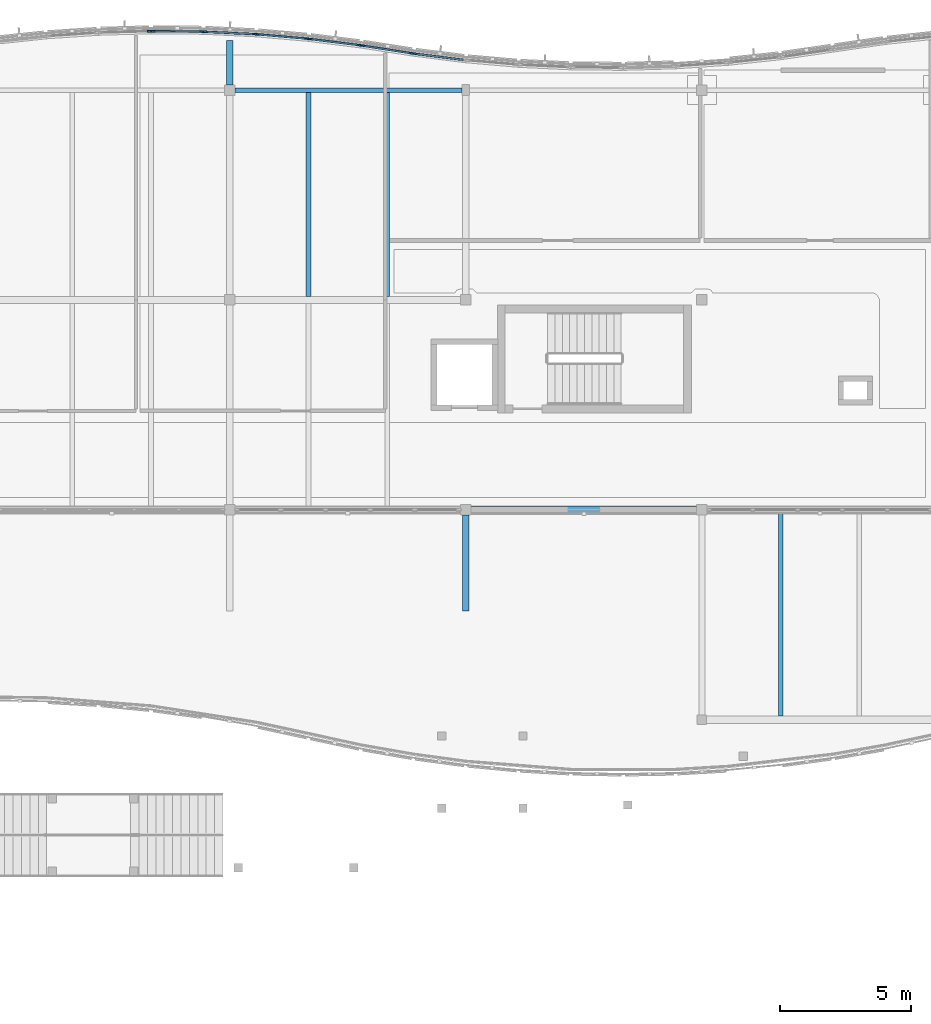
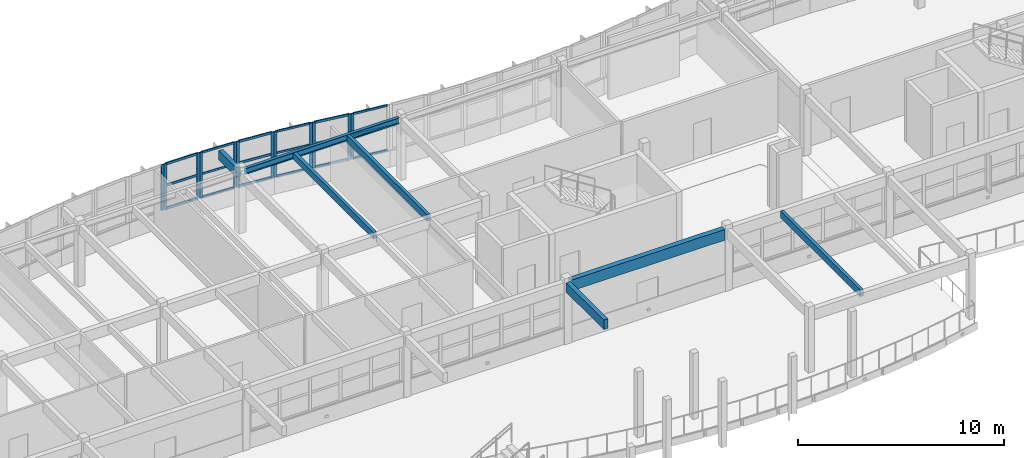
# One storey, part 19 of 63: 30 members, 7 beams, 7 elements without a shape of their own.
"""IFC4 building model written with IfcOpenShell, lengths in metres."""

from ifc_helpers import new_model, si_unit, direction, frame, origin, origin_2d, place, context, subcontext, project, spatial, rectangle, i_section, extrude, material, layer, layer_set, material_profile, profile_set, type_object, element, aggregate, save


model = new_model("IFC4")

# Units and contexts
model_context = context("Model", 3, precision=1e-05, world=origin(), true_north=direction((0.0, 1.0)))
body_context = subcontext(model_context, "Body", "Model", "MODEL_VIEW")
ifc_project = project(units=[si_unit("LENGTHUNIT", "METRE"), si_unit("AREAUNIT", "SQUARE_METRE"), si_unit("VOLUMEUNIT", "CUBIC_METRE"), si_unit("PLANEANGLEUNIT", "RADIAN"), si_unit("MASSUNIT", "GRAM", prefix="KILO")], contexts=[model_context])

# Site, building, storey
site_placement = place(None, origin())
site = spatial("IfcSite", under=ifc_project, at=site_placement, CompositionType="ELEMENT")
building_placement = place(site_placement, origin())
building = spatial("IfcBuilding", under=site, at=building_placement, Name="Tonlespit Floodbar School", CompositionType="ELEMENT")
storey_placement = place(building_placement, frame((0.0, 0.0, 8.39990234375)))
storey = spatial("IfcBuildingStorey", under=building, at=storey_placement, Name="L02", CompositionType="ELEMENT", Elevation=8.39990234375)

# Beams
ifc_material_1 = material(Name="Glulam GL28h", Category="wood")
ifc_material_profile_1 = material_profile(ifc_material_1, rectangle(XDim=0.239990234375, YDim=0.56005859375, at=origin_2d()), Name="GL 240x560")
ifc_profile_set_1 = profile_set([ifc_material_profile_1], Name="Glulam GL28h")
beam_type_1 = type_object("IfcBeamType", Name="Beam_GL_240x560", PredefinedType="BEAM", material=ifc_profile_set_1)
beam_1_placement = place(storey_placement, frame((89.0, 120.199951171875, 3.3701171875), z_axis=(0.0, 1.0, 0.0), x_axis=(-1.0, 0.0, 0.0)))
element("IfcBeam", 1, at=beam_1_placement, inside=storey, type_object=beam_type_1, Name="L02 north street wave cantilever bracket", PredefinedType="BEAM", context=body_context, shape_type="SweptSolid", body=[
    extrude(rectangle(XDim=0.239990234375, YDim=0.56005859375, at=origin_2d()), origin(), (0.0, 0.0, 1.0), 1.689453125),
])
beam_2_placement = place(storey_placement, frame((98.0, 103.800048828125, 3.3681640625), z_axis=(0.0, -1.0, 0.0), x_axis=(1.0, 0.0, 0.0)))
element("IfcBeam", 2, at=beam_2_placement, inside=storey, type_object=beam_type_1, Name="L02 V1 curved gallery cantilever rib", PredefinedType="BEAM", context=body_context, shape_type="SweptSolid", body=[
    extrude(rectangle(XDim=0.239990234375, YDim=0.56005859375, at=origin_2d()), origin(), (0.0, 0.0, 1.0), 3.650146484375),
])
ifc_material_profile_2 = material_profile(ifc_material_1, rectangle(XDim=0.280029296875, YDim=0.639892578125, at=origin_2d()), Name="GL 280x640")
ifc_profile_set_2 = profile_set([ifc_material_profile_2], Name="Glulam GL28h")
beam_type_2 = type_object("IfcBeamType", Name="Beam_GL_280x640", PredefinedType="BEAM", material=ifc_profile_set_2)
beam_3_placement = place(storey_placement, frame((98.199951171875, 104.0, 3.328125), z_axis=(1.0, 0.0, 0.0), x_axis=(0.0, 1.0, 0.0)))
element("IfcBeam", 3, at=beam_3_placement, inside=storey, type_object=beam_type_2, Name="L02 girder 0965", PredefinedType="BEAM", context=body_context, shape_type="SweptSolid", body=[
    extrude(rectangle(XDim=0.280029296875, YDim=0.639892578125, at=origin_2d()), origin(), (0.0, 0.0, 1.0), 8.60009765625),
])

# Curtain wall, member
ifc_material_2 = material(Name="Anodised Aluminium", Category="aluminium")
ifc_layer_1 = layer(ifc_material_2, 0.159912109375)
ifc_layer_set_1 = layer_set([ifc_layer_1], Name="Anodised Aluminium")
curtain_wall_type_1 = type_object("IfcCurtainWallType", Name="CurtainWall_1900x2700", PredefinedType="NOTDEFINED", material=ifc_layer_set_1)
curtain_wall_1_placement = place(storey_placement, origin())
curtain_wall_1 = element("IfcCurtainWall", 4, at=curtain_wall_1_placement, inside=storey, type_object=curtain_wall_type_1, Name="L02 unitised curtain wall 0102", PredefinedType="NOTDEFINED")
ifc_material_profile_3 = material_profile(ifc_material_2, rectangle(XDim=0.06494140625, YDim=0.14990234375, at=origin_2d()), Name="ALU M65x150")
ifc_profile_set_3 = profile_set([ifc_material_profile_3], Name="Anodised Aluminium")
member_type_1 = type_object("IfcMemberType", Name="CW_Mullion_65x150", PredefinedType="MULLION", material=ifc_profile_set_3)
member_1_placement = place(storey_placement, frame((85.927490234375, 122.244873046875, 0.9501953125), z_axis=(0.0, 0.0, 1.0), x_axis=(-0.028790144226, 0.999585477883, 0.0)))
member_1 = element("IfcMember", 5, at=member_1_placement, type_object=member_type_1, Name="CW-05 mullion 2", PredefinedType="MULLION", context=body_context, shape_type="SweptSolid", body=[
    extrude(rectangle(XDim=0.06494140625, YDim=0.14990234375, at=origin_2d()), origin(), (0.0, 0.0, 1.0), 2.699951171875),
])
aggregate(curtain_wall_1, [member_1])

# Curtain wall, members
curtain_wall_2_placement = place(storey_placement, origin())
curtain_wall_2 = element("IfcCurtainWall", 6, at=curtain_wall_2_placement, inside=storey, type_object=curtain_wall_type_1, Name="L02 unitised curtain wall 0104", PredefinedType="NOTDEFINED")
member_2_placement = place(storey_placement, frame((88.072509765625, 122.224365234375, 0.9501953125), z_axis=(0.0, 0.0, 1.0), x_axis=(0.048121270216, 0.998841500616, 0.0)))
member_2 = element("IfcMember", 7, at=member_2_placement, type_object=member_type_1, Name="CW-05 mullion 1", PredefinedType="MULLION", context=body_context, shape_type="SweptSolid", body=[
    extrude(rectangle(XDim=0.06494140625, YDim=0.14990234375, at=origin_2d()), origin(), (0.0, 0.0, 1.0), 2.699951171875),
])
member_3_placement = place(storey_placement, frame((89.927490234375, 122.135009765625, 0.9501953125), z_axis=(0.0, 0.0, 1.0), x_axis=(0.048121270216, 0.998841500616, 0.0)))
member_3 = element("IfcMember", 8, at=member_3_placement, type_object=member_type_1, Name="CW-05 mullion 2", PredefinedType="MULLION", context=body_context, shape_type="SweptSolid", body=[
    extrude(rectangle(XDim=0.06494140625, YDim=0.14990234375, at=origin_2d()), origin(), (0.0, 0.0, 1.0), 2.699951171875),
])

ifc_layer_2 = layer(ifc_material_2, 0.159912109375)
ifc_layer_set_2 = layer_set([ifc_layer_2], Name="Anodised Aluminium")
curtain_wall_type_2 = type_object("IfcCurtainWallType", Name="CurtainWall_1950x2700", PredefinedType="NOTDEFINED", material=ifc_layer_set_2)
curtain_wall_3_placement = place(storey_placement, origin())
curtain_wall_3 = element("IfcCurtainWall", 9, at=curtain_wall_3_placement, inside=storey, type_object=curtain_wall_type_2, Name="L02 unitised curtain wall 0106", PredefinedType="NOTDEFINED")
member_4_placement = place(storey_placement, frame((92.072021484375, 121.94873046875, 0.9501953125), z_axis=(0.0, 0.0, 1.0), x_axis=(0.125013803299, 0.992155002499, 0.0)))
member_4 = element("IfcMember", 10, at=member_4_placement, type_object=member_type_1, Name="CW-04 mullion 1", PredefinedType="MULLION", context=body_context, shape_type="SweptSolid", body=[
    extrude(rectangle(XDim=0.06494140625, YDim=0.14990234375, at=origin_2d()), origin(), (0.0, 0.0, 1.0), 2.699951171875),
])
member_5_placement = place(storey_placement, frame((93.927978515625, 121.71484375, 0.9501953125), z_axis=(0.0, 0.0, 1.0), x_axis=(0.125013803299, 0.992155002499, 0.0)))
member_5 = element("IfcMember", 11, at=member_5_placement, type_object=member_type_1, Name="CW-04 mullion 2", PredefinedType="MULLION", context=body_context, shape_type="SweptSolid", body=[
    extrude(rectangle(XDim=0.06494140625, YDim=0.14990234375, at=origin_2d()), origin(), (0.0, 0.0, 1.0), 2.699951171875),
])

# Curtain wall, member
curtain_wall_4_placement = place(storey_placement, origin())
curtain_wall_4 = element("IfcCurtainWall", 12, at=curtain_wall_4_placement, inside=storey, type_object=curtain_wall_type_2, Name="L02 unitised curtain wall 0108", PredefinedType="NOTDEFINED")
member_6_placement = place(storey_placement, frame((96.072021484375, 121.38525390625, 0.9501953125), z_axis=(0.0, 0.0, 1.0), x_axis=(0.125013803299, 0.992155002499, 0.0)))
member_6 = element("IfcMember", 13, at=member_6_placement, type_object=member_type_1, Name="CW-04 mullion 1", PredefinedType="MULLION", context=body_context, shape_type="SweptSolid", body=[
    extrude(rectangle(XDim=0.06494140625, YDim=0.14990234375, at=origin_2d()), origin(), (0.0, 0.0, 1.0), 2.699951171875),
])

# Curtain wall, members
curtain_wall_5_placement = place(storey_placement, origin())
curtain_wall_5 = element("IfcCurtainWall", 14, at=curtain_wall_5_placement, inside=storey, type_object=curtain_wall_type_1, Name="L02 unitised curtain wall 0103", PredefinedType="NOTDEFINED")
ifc_material_profile_4 = material_profile(ifc_material_2, rectangle(XDim=0.06494140625, YDim=0.179931640625, at=origin_2d()), Name="ALU M65x180")
ifc_profile_set_4 = profile_set([ifc_material_profile_4], Name="Anodised Aluminium")
member_type_2 = type_object("IfcMemberType", Name="CW_Mullion_65x180", PredefinedType="MULLION", material=ifc_profile_set_4)
member_7_placement = place(storey_placement, frame((86.072509765625, 122.246337890625, 0.9501953125), z_axis=(0.0, 0.0, 1.0), x_axis=(0.009582893292, 0.999954083024, 0.0)))
member_7 = element("IfcMember", 15, at=member_7_placement, type_object=member_type_2, Name="CW-05 mullion 1", PredefinedType="MULLION", context=body_context, shape_type="SweptSolid", body=[
    extrude(rectangle(XDim=0.06494140625, YDim=0.179931640625, at=origin_2d()), origin(), (0.0, 0.0, 1.0), 2.699951171875),
])
member_8_placement = place(storey_placement, frame((87.927490234375, 122.228515625, 0.9501953125), z_axis=(0.0, 0.0, 1.0), x_axis=(0.009582893292, 0.999954083024, 0.0)))
member_8 = element("IfcMember", 16, at=member_8_placement, type_object=member_type_2, Name="CW-05 mullion 2", PredefinedType="MULLION", context=body_context, shape_type="SweptSolid", body=[
    extrude(rectangle(XDim=0.06494140625, YDim=0.179931640625, at=origin_2d()), origin(), (0.0, 0.0, 1.0), 2.699951171875),
])

curtain_wall_6_placement = place(storey_placement, origin())
curtain_wall_6 = element("IfcCurtainWall", 17, at=curtain_wall_6_placement, inside=storey, type_object=curtain_wall_type_2, Name="L02 unitised curtain wall 0105", PredefinedType="NOTDEFINED")
member_9_placement = place(storey_placement, frame((90.072265625, 122.125244140625, 0.9501953125), z_axis=(0.0, 0.0, 1.0), x_axis=(0.086531117454, 0.996249148412, 0.0)))
member_9 = element("IfcMember", 18, at=member_9_placement, type_object=member_type_2, Name="CW-04 mullion 1", PredefinedType="MULLION", context=body_context, shape_type="SweptSolid", body=[
    extrude(rectangle(XDim=0.06494140625, YDim=0.179931640625, at=origin_2d()), origin(), (0.0, 0.0, 1.0), 2.699951171875),
])
member_10_placement = place(storey_placement, frame((91.927734375, 121.964111328125, 0.9501953125), z_axis=(0.0, 0.0, 1.0), x_axis=(0.086531117454, 0.996249148412, 0.0)))
member_10 = element("IfcMember", 19, at=member_10_placement, type_object=member_type_2, Name="CW-04 mullion 2", PredefinedType="MULLION", context=body_context, shape_type="SweptSolid", body=[
    extrude(rectangle(XDim=0.06494140625, YDim=0.179931640625, at=origin_2d()), origin(), (0.0, 0.0, 1.0), 2.699951171875),
])

curtain_wall_7_placement = place(storey_placement, origin())
curtain_wall_7 = element("IfcCurtainWall", 20, at=curtain_wall_7_placement, inside=storey, type_object=curtain_wall_type_2, Name="L02 unitised curtain wall 0107", PredefinedType="NOTDEFINED")
member_11_placement = place(storey_placement, frame((94.071533203125, 121.694580078125, 0.9501953125), z_axis=(0.0, 0.0, 1.0), x_axis=(0.153796288585, 0.988102576465, 0.0)))
member_11 = element("IfcMember", 21, at=member_11_placement, type_object=member_type_2, Name="CW-04 mullion 1", PredefinedType="MULLION", context=body_context, shape_type="SweptSolid", body=[
    extrude(rectangle(XDim=0.06494140625, YDim=0.179931640625, at=origin_2d()), origin(), (0.0, 0.0, 1.0), 2.699951171875),
])
member_12_placement = place(storey_placement, frame((95.928466796875, 121.405517578125, 0.9501953125), z_axis=(0.0, 0.0, 1.0), x_axis=(0.153796288585, 0.988102576465, 0.0)))
member_12 = element("IfcMember", 22, at=member_12_placement, type_object=member_type_2, Name="CW-04 mullion 2", PredefinedType="MULLION", context=body_context, shape_type="SweptSolid", body=[
    extrude(rectangle(XDim=0.06494140625, YDim=0.179931640625, at=origin_2d()), origin(), (0.0, 0.0, 1.0), 2.699951171875),
])

# Member
ifc_material_profile_5 = material_profile(ifc_material_2, rectangle(XDim=0.06494140625, YDim=0.1201171875, at=origin_2d()), Name="ALU T65x120")
ifc_profile_set_5 = profile_set([ifc_material_profile_5], Name="Anodised Aluminium")
member_type_3 = type_object("IfcMemberType", Name="CW_Transom_65x120", PredefinedType="USERDEFINED", material=ifc_profile_set_5)
member_13_placement = place(storey_placement, frame((88.10498046875, 122.22265625, 0.982666015625), z_axis=(0.998843034795, -0.048089415069, 0.0), x_axis=(0.048089415069, 0.998843034795, 0.0)))
member_13 = element("IfcMember", 23, at=member_13_placement, type_object=member_type_3, Name="CW-05 transom 1.1", ObjectType="TRANSOM", PredefinedType="USERDEFINED", context=body_context, shape_type="SweptSolid", body=[
    extrude(rectangle(XDim=0.06494140625, YDim=0.1201171875, at=origin_2d()), origin(), (0.0, 0.0, 1.0), 1.7919921875),
])

member_14_placement = place(storey_placement, frame((88.10498046875, 122.22265625, 2.35400390625), z_axis=(0.998843034795, -0.048089415069, 0.0), x_axis=(0.048089415069, 0.998843034795, 0.0)))
member_14 = element("IfcMember", 24, at=member_14_placement, type_object=member_type_3, Name="CW-05 transom 1.2", ObjectType="TRANSOM", PredefinedType="USERDEFINED", context=body_context, shape_type="SweptSolid", body=[
    extrude(rectangle(XDim=0.06494140625, YDim=0.1201171875, at=origin_2d()), origin(), (0.0, 0.0, 1.0), 1.7919921875),
])

member_15_placement = place(storey_placement, frame((88.10498046875, 122.22265625, 3.61767578125), z_axis=(0.998843034795, -0.048089415069, 0.0), x_axis=(0.048089415069, 0.998843034795, 0.0)))
member_15 = element("IfcMember", 25, at=member_15_placement, type_object=member_type_3, Name="CW-05 transom 1.3", ObjectType="TRANSOM", PredefinedType="USERDEFINED", context=body_context, shape_type="SweptSolid", body=[
    extrude(rectangle(XDim=0.06494140625, YDim=0.1201171875, at=origin_2d()), origin(), (0.0, 0.0, 1.0), 1.7919921875),
])

aggregate(curtain_wall_2, [member_2, member_3, member_13, member_14, member_15])

member_16_placement = place(storey_placement, frame((92.104248046875, 121.944580078125, 0.982666015625), z_axis=(0.992148373735, -0.125066400341, 0.0), x_axis=(0.125066400341, 0.992148373735, 0.0)))
member_16 = element("IfcMember", 26, at=member_16_placement, type_object=member_type_3, Name="CW-04 transom 1.1", ObjectType="TRANSOM", PredefinedType="USERDEFINED", context=body_context, shape_type="SweptSolid", body=[
    extrude(rectangle(XDim=0.06494140625, YDim=0.1201171875, at=origin_2d()), origin(), (0.0, 0.0, 1.0), 1.8056640625),
])

member_17_placement = place(storey_placement, frame((92.104248046875, 121.944580078125, 2.35400390625), z_axis=(0.992148373735, -0.125066400341, 0.0), x_axis=(0.125066400341, 0.992148373735, 0.0)))
member_17 = element("IfcMember", 27, at=member_17_placement, type_object=member_type_3, Name="CW-04 transom 1.2", ObjectType="TRANSOM", PredefinedType="USERDEFINED", context=body_context, shape_type="SweptSolid", body=[
    extrude(rectangle(XDim=0.06494140625, YDim=0.1201171875, at=origin_2d()), origin(), (0.0, 0.0, 1.0), 1.8056640625),
])

member_18_placement = place(storey_placement, frame((92.104248046875, 121.944580078125, 3.61767578125), z_axis=(0.992148373735, -0.125066400341, 0.0), x_axis=(0.125066400341, 0.992148373735, 0.0)))
member_18 = element("IfcMember", 28, at=member_18_placement, type_object=member_type_3, Name="CW-04 transom 1.3", ObjectType="TRANSOM", PredefinedType="USERDEFINED", context=body_context, shape_type="SweptSolid", body=[
    extrude(rectangle(XDim=0.06494140625, YDim=0.1201171875, at=origin_2d()), origin(), (0.0, 0.0, 1.0), 1.8056640625),
])

aggregate(curtain_wall_3, [member_4, member_5, member_16, member_17, member_18])

member_19_placement = place(storey_placement, frame((96.104248046875, 121.381103515625, 0.982666015625), z_axis=(0.992165142165, -0.124933304901, 0.0), x_axis=(0.124933304901, 0.992165142165, 0.0)))
member_19 = element("IfcMember", 29, at=member_19_placement, type_object=member_type_3, Name="CW-04 transom 1.1", ObjectType="TRANSOM", PredefinedType="USERDEFINED", context=body_context, shape_type="SweptSolid", body=[
    extrude(rectangle(XDim=0.06494140625, YDim=0.1201171875, at=origin_2d()), origin(), (0.0, 0.0, 1.0), 1.8056640625),
])

member_20_placement = place(storey_placement, frame((96.104248046875, 121.381103515625, 2.35400390625), z_axis=(0.992165142165, -0.124933304901, 0.0), x_axis=(0.124933304901, 0.992165142165, 0.0)))
member_20 = element("IfcMember", 30, at=member_20_placement, type_object=member_type_3, Name="CW-04 transom 1.2", ObjectType="TRANSOM", PredefinedType="USERDEFINED", context=body_context, shape_type="SweptSolid", body=[
    extrude(rectangle(XDim=0.06494140625, YDim=0.1201171875, at=origin_2d()), origin(), (0.0, 0.0, 1.0), 1.8056640625),
])

member_21_placement = place(storey_placement, frame((96.104248046875, 121.381103515625, 3.61767578125), z_axis=(0.992165142165, -0.124933304901, 0.0), x_axis=(0.124933304901, 0.992165142165, 0.0)))
member_21 = element("IfcMember", 31, at=member_21_placement, type_object=member_type_3, Name="CW-04 transom 1.3", ObjectType="TRANSOM", PredefinedType="USERDEFINED", context=body_context, shape_type="SweptSolid", body=[
    extrude(rectangle(XDim=0.06494140625, YDim=0.1201171875, at=origin_2d()), origin(), (0.0, 0.0, 1.0), 1.8056640625),
])

aggregate(curtain_wall_4, [member_6, member_19, member_20, member_21])

ifc_material_profile_6 = material_profile(ifc_material_2, rectangle(XDim=0.06494140625, YDim=0.139892578125, at=origin_2d()), Name="ALU T65x140")
ifc_profile_set_6 = profile_set([ifc_material_profile_6], Name="Anodised Aluminium")
member_type_4 = type_object("IfcMemberType", Name="CW_Transom_65x140", PredefinedType="USERDEFINED", material=ifc_profile_set_6)
member_22_placement = place(storey_placement, frame((86.10498046875, 122.24609375, 0.982666015625), z_axis=(0.999953117448, -0.009683124842, 0.0), x_axis=(0.009683124842, 0.999953117448, 0.0)))
member_22 = element("IfcMember", 32, at=member_22_placement, type_object=member_type_4, Name="CW-05 transom 1.1", ObjectType="TRANSOM", PredefinedType="USERDEFINED", context=body_context, shape_type="SweptSolid", body=[
    extrude(rectangle(XDim=0.06494140625, YDim=0.139892578125, at=origin_2d()), origin(), (0.0, 0.0, 1.0), 1.7900390625),
])

member_23_placement = place(storey_placement, frame((86.10498046875, 122.24609375, 2.35400390625), z_axis=(0.999953117448, -0.009683124842, 0.0), x_axis=(0.009683124842, 0.999953117448, 0.0)))
member_23 = element("IfcMember", 33, at=member_23_placement, type_object=member_type_4, Name="CW-05 transom 1.2", ObjectType="TRANSOM", PredefinedType="USERDEFINED", context=body_context, shape_type="SweptSolid", body=[
    extrude(rectangle(XDim=0.06494140625, YDim=0.139892578125, at=origin_2d()), origin(), (0.0, 0.0, 1.0), 1.7900390625),
])

member_24_placement = place(storey_placement, frame((86.10498046875, 122.24609375, 3.61767578125), z_axis=(0.999953117448, -0.009683124842, 0.0), x_axis=(0.009683124842, 0.999953117448, 0.0)))
member_24 = element("IfcMember", 34, at=member_24_placement, type_object=member_type_4, Name="CW-05 transom 1.3", ObjectType="TRANSOM", PredefinedType="USERDEFINED", context=body_context, shape_type="SweptSolid", body=[
    extrude(rectangle(XDim=0.06494140625, YDim=0.139892578125, at=origin_2d()), origin(), (0.0, 0.0, 1.0), 1.7900390625),
])

aggregate(curtain_wall_5, [member_7, member_8, member_22, member_23, member_24])

member_25_placement = place(storey_placement, frame((90.1044921875, 122.122314453125, 0.982666015625), z_axis=(0.996251281774, -0.086506552139, 0.0), x_axis=(0.086506552139, 0.996251281774, 0.0)))
member_25 = element("IfcMember", 35, at=member_25_placement, type_object=member_type_4, Name="CW-04 transom 1.1", ObjectType="TRANSOM", PredefinedType="USERDEFINED", context=body_context, shape_type="SweptSolid", body=[
    extrude(rectangle(XDim=0.06494140625, YDim=0.139892578125, at=origin_2d()), origin(), (0.0, 0.0, 1.0), 1.7978515625),
])

member_26_placement = place(storey_placement, frame((90.1044921875, 122.122314453125, 2.35400390625), z_axis=(0.996251281774, -0.086506552139, 0.0), x_axis=(0.086506552139, 0.996251281774, 0.0)))
member_26 = element("IfcMember", 36, at=member_26_placement, type_object=member_type_4, Name="CW-04 transom 1.2", ObjectType="TRANSOM", PredefinedType="USERDEFINED", context=body_context, shape_type="SweptSolid", body=[
    extrude(rectangle(XDim=0.06494140625, YDim=0.139892578125, at=origin_2d()), origin(), (0.0, 0.0, 1.0), 1.7978515625),
])

member_27_placement = place(storey_placement, frame((90.1044921875, 122.122314453125, 3.61767578125), z_axis=(0.996251281774, -0.086506552139, 0.0), x_axis=(0.086506552139, 0.996251281774, 0.0)))
member_27 = element("IfcMember", 37, at=member_27_placement, type_object=member_type_4, Name="CW-04 transom 1.3", ObjectType="TRANSOM", PredefinedType="USERDEFINED", context=body_context, shape_type="SweptSolid", body=[
    extrude(rectangle(XDim=0.06494140625, YDim=0.139892578125, at=origin_2d()), origin(), (0.0, 0.0, 1.0), 1.7978515625),
])

aggregate(curtain_wall_6, [member_9, member_10, member_25, member_26, member_27])

member_28_placement = place(storey_placement, frame((94.103759765625, 121.689453125, 0.982666015625), z_axis=(0.988097838313, -0.15382672694, 0.0), x_axis=(0.15382672694, 0.988097838313, 0.0)))
member_28 = element("IfcMember", 38, at=member_28_placement, type_object=member_type_4, Name="CW-04 transom 1.1", ObjectType="TRANSOM", PredefinedType="USERDEFINED", context=body_context, shape_type="SweptSolid", body=[
    extrude(rectangle(XDim=0.06494140625, YDim=0.139892578125, at=origin_2d()), origin(), (0.0, 0.0, 1.0), 1.81396484375),
])

member_29_placement = place(storey_placement, frame((94.103759765625, 121.689453125, 2.35400390625), z_axis=(0.988097838313, -0.15382672694, 0.0), x_axis=(0.15382672694, 0.988097838313, 0.0)))
member_29 = element("IfcMember", 39, at=member_29_placement, type_object=member_type_4, Name="CW-04 transom 1.2", ObjectType="TRANSOM", PredefinedType="USERDEFINED", context=body_context, shape_type="SweptSolid", body=[
    extrude(rectangle(XDim=0.06494140625, YDim=0.139892578125, at=origin_2d()), origin(), (0.0, 0.0, 1.0), 1.81396484375),
])

member_30_placement = place(storey_placement, frame((94.103759765625, 121.689453125, 3.61767578125), z_axis=(0.988097838313, -0.15382672694, 0.0), x_axis=(0.15382672694, 0.988097838313, 0.0)))
member_30 = element("IfcMember", 40, at=member_30_placement, type_object=member_type_4, Name="CW-04 transom 1.3", ObjectType="TRANSOM", PredefinedType="USERDEFINED", context=body_context, shape_type="SweptSolid", body=[
    extrude(rectangle(XDim=0.06494140625, YDim=0.139892578125, at=origin_2d()), origin(), (0.0, 0.0, 1.0), 1.81396484375),
])

aggregate(curtain_wall_7, [member_11, member_12, member_28, member_29, member_30])

# Beams
ifc_material_profile_7 = material_profile(ifc_material_1, rectangle(XDim=0.179931640625, YDim=0.39990234375, at=origin_2d()), Name="GL 180x400")
ifc_profile_set_7 = profile_set([ifc_material_profile_7], Name="Glulam GL28h")
beam_type_3 = type_object("IfcBeamType", Name="Joist_GL_180x400", PredefinedType="JOIST", material=ifc_profile_set_7)
beam_4_placement = place(storey_placement, frame((110.0, 96.139892578125, 3.447998046875), z_axis=(0.0, 1.0, 0.0), x_axis=(-1.0, 0.0, 0.0)))
element("IfcBeam", 41, at=beam_4_placement, inside=storey, type_object=beam_type_3, Name="L02 secondary joist 1106", PredefinedType="JOIST", context=body_context, shape_type="SweptSolid", body=[
    extrude(rectangle(XDim=0.179931640625, YDim=0.39990234375, at=origin_2d()), origin(), (0.0, 0.0, 1.0), 7.72021484375),
])
for number, where, z_axis, x_axis, name in (
    (42, (92.0, 112.139892578125, 3.4501953125), (0.0, 1.0, 0.0), (-1.0, 0.0, 0.0), "L02 secondary joist 1131"),
    (43, (95.0, 112.139892578125, 3.4501953125), (0.0, 1.0, 0.0), (-1.0, 0.0, 0.0), "L02 secondary joist 1132"),
):
    element("IfcBeam", number, at=place(storey_placement, frame(where, z_axis=z_axis, x_axis=x_axis)), inside=storey, type_object=beam_type_3, Name=name, PredefinedType="JOIST", context=body_context, shape_type="SweptSolid", body=[
        extrude(rectangle(XDim=0.179931640625, YDim=0.39990234375, at=origin_2d()), origin(), (0.0, 0.0, 1.0), 7.775146484375),
    ])
ifc_material_3 = material(Name="Steel S355", Category="steel")
ifc_material_profile_8 = material_profile(ifc_material_3, i_section(OverallWidth=0.169921875, OverallDepth=0.360107421875, WebThickness=0.008056640625, FlangeThickness=0.0126953125, at=origin_2d()), Name="IPE 360")
ifc_profile_set_8 = profile_set([ifc_material_profile_8], Name="Steel S355")
beam_type_4 = type_object("IfcBeamType", Name="Spandrel_STL_IPE360", PredefinedType="SPANDREL", material=ifc_profile_set_8)
beam_5_placement = place(storey_placement, frame((89.199951171875, 120.0, 3.47021484375), z_axis=(1.0, 0.0, 0.0), x_axis=(0.0, 1.0, 0.0)))
element("IfcBeam", 44, at=beam_5_placement, inside=storey, type_object=beam_type_4, Name="L02 girder 0988", PredefinedType="SPANDREL", context=body_context, shape_type="SweptSolid", body=[
    extrude(i_section(OverallWidth=0.169921875, OverallDepth=0.360107421875, WebThickness=0.008056640625, FlangeThickness=0.0126953125, at=origin_2d()), origin(), (0.0, 0.0, 1.0), 8.66015625),
])

save(model, "model.ifc")
